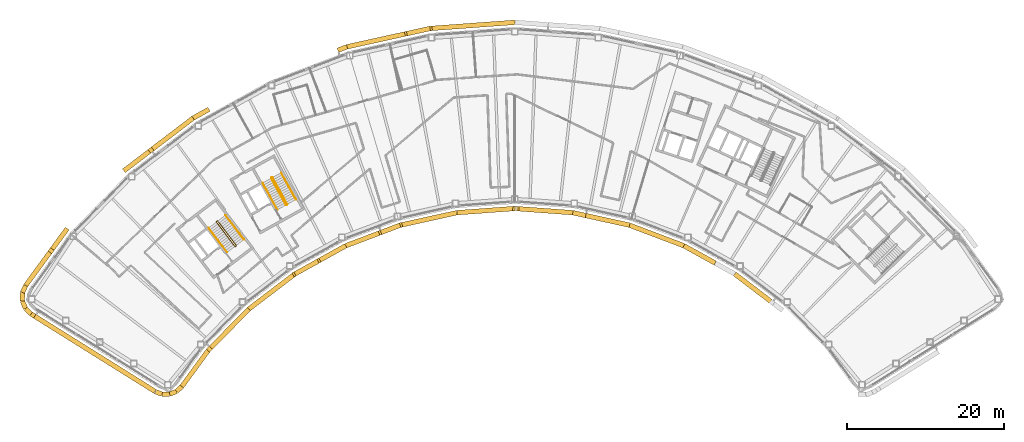
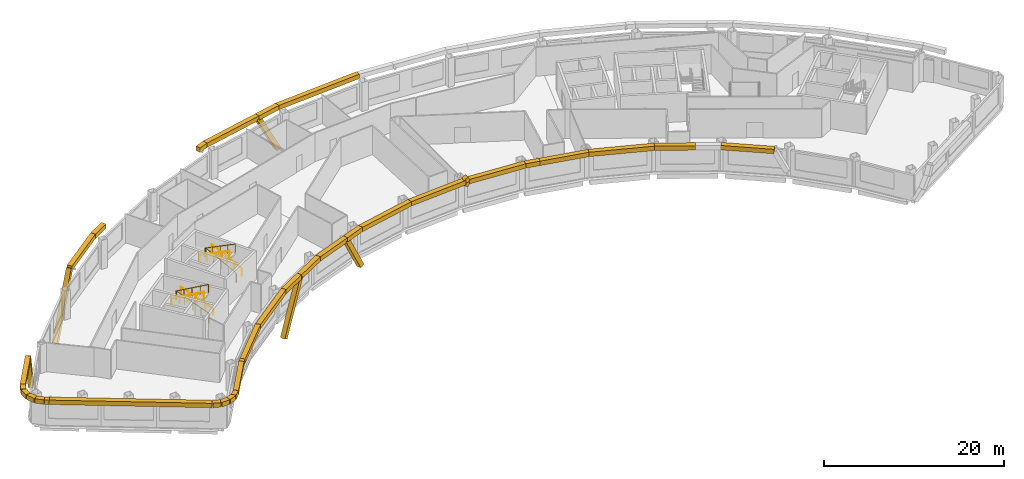
# One storey, part 13 of 15: 40 coverings, 6 railings.
"""IFC4 building model written with IfcOpenShell, lengths in metres."""

from ifc_helpers import new_model, si_unit, direction, frame, origin, origin_2d, place, context, subcontext, project, spatial, rectangle, circle, extrude, material, material_profile, profile_set, type_object, element, save


model = new_model("IFC4")

# Units and contexts
model_context = context("Model", 3, precision=1e-05, world=origin(), true_north=direction((0.0, 1.0)))
body_context = subcontext(model_context, "Body", "Model", "MODEL_VIEW")
ifc_project = project(units=[si_unit("LENGTHUNIT", "METRE"), si_unit("AREAUNIT", "SQUARE_METRE"), si_unit("VOLUMEUNIT", "CUBIC_METRE"), si_unit("PLANEANGLEUNIT", "RADIAN"), si_unit("MASSUNIT", "GRAM", prefix="KILO")], contexts=[model_context])

# Site, building, storey
site_placement = place(None, origin())
site = spatial("IfcSite", under=ifc_project, at=site_placement, CompositionType="ELEMENT")
building_placement = place(site_placement, origin())
building = spatial("IfcBuilding", under=site, at=building_placement, Name="Tuul Gate Civic Tower", CompositionType="ELEMENT")
storey_placement = place(building_placement, frame((0.0, 0.0, 332.300048828125)))
storey = spatial("IfcBuildingStorey", under=building, at=storey_placement, Name="Level 75", CompositionType="ELEMENT", Elevation=332.300048828125)

# Railings
ifc_material_1 = material(Name="Painted steel", Category="steel")
railing_type_1 = type_object("IfcRailingType", Name="Stair guard", PredefinedType="GUARDRAIL", material=ifc_material_1)
railing_1_placement = place(storey_placement, frame((-33.382080078125, -13.515380859375, 0.0)))
element("IfcRailing", 1, at=railing_1_placement, inside=storey, type_object=railing_type_1, Name="Level 75 ST-1 stair guard 1", PredefinedType="GUARDRAIL", context=body_context, shape_type="SweptSolid", body=[
    extrude(circle(Radius=0.02392578125, at=origin_2d()), frame((0.0, 0.0, 1.076171875), z_axis=(-0.795879841968, -0.605454603706, 0.0), x_axis=(0.605454603706, -0.795879841968, 0.0)), (0.0, 0.0, 1.0), 0.10009765625),
    extrude(circle(Radius=0.02392578125, at=origin_2d()), frame((-0.07958984375, -0.060546875, 1.076171875), z_axis=(0.408991890351, 0.599481263939, 0.688002796371), x_axis=(-0.826063974707, 0.563576356576, 0.0)), (0.0, 0.0, 1.0), 0.2177734375),
    extrude(circle(Radius=0.02392578125, at=origin_2d()), frame((0.009521484375, 0.070068359375, 1.22607421875), z_axis=(-0.541824460341, 0.711645023348, 0.447199748346), x_axis=(-0.795637165283, -0.60577347352, 0.0)), (0.0, 0.0, 1.0), 4.3603515625),
    extrude(circle(Radius=0.02392578125, at=origin_2d()), frame((-2.35302734375, 3.173095703125, 3.17578125), z_axis=(-0.990893089246, 0.134650977284, 0.0), x_axis=(-0.134650977284, -0.990893089246, 0.0)), (0.0, 0.0, 1.0), 0.07080078125),
    extrude(circle(Radius=0.02392578125, at=origin_2d()), frame((-2.423095703125, 3.1826171875, 3.17578125), z_axis=(-0.793802879778, -0.60817512943, 0.0), x_axis=(0.60817512943, -0.793802879778, 0.0)), (0.0, 0.0, 1.0), 0.099853515625),
    extrude(circle(Radius=0.02392578125, at=origin_2d()), frame((-2.50244140625, 3.121826171875, 3.17578125), z_axis=(-0.057370624079, -0.422188951554, 0.904690610473), x_axis=(0.990893089246, -0.134650977284, 0.0)), (0.0, 0.0, 1.0), 0.166015625),
    extrude(circle(Radius=0.02392578125, at=origin_2d()), frame((-2.511962890625, 3.0517578125, 3.326171875), z_axis=(0.541806494602, -0.71163897684, 0.447231136047), x_axis=(0.795644365679, 0.605764016233, 0.0)), (0.0, 0.0, 1.0), 4.360107421875),
    extrude(circle(Radius=0.02099609375, at=origin_2d()), origin(), (0.0, 0.0, 1.0), 1.052001953125),
    extrude(circle(Radius=0.02099609375, at=origin_2d()), frame((-0.07958984375, -0.060546875, 0.0)), (0.0, 0.0, 1.0), 1.052001953125),
    extrude(circle(Radius=0.02099609375, at=origin_2d()), frame((0.009521484375, 0.070068359375, 0.14990234375)), (0.0, 0.0, 1.0), 1.052001953125),
    extrude(circle(Radius=0.02099609375, at=origin_2d()), frame((-0.5810546875, 0.845703125, 0.637451171875)), (0.0, 0.0, 1.0), 1.052001953125),
    extrude(circle(Radius=0.02099609375, at=origin_2d()), frame((-1.171875, 1.62158203125, 1.125)), (0.0, 0.0, 1.0), 1.052001953125),
    extrude(circle(Radius=0.02099609375, at=origin_2d()), frame((-1.762451171875, 2.3974609375, 1.6123046875)), (0.0, 0.0, 1.0), 1.052001953125),
    extrude(circle(Radius=0.02099609375, at=origin_2d()), frame((-2.35302734375, 3.173095703125, 2.099853515625)), (0.0, 0.0, 1.0), 1.052001953125),
    extrude(circle(Radius=0.02099609375, at=origin_2d()), frame((-2.423095703125, 3.1826171875, 2.099853515625)), (0.0, 0.0, 1.0), 1.052001953125),
    extrude(circle(Radius=0.02099609375, at=origin_2d()), frame((-2.50244140625, 3.121826171875, 2.099853515625)), (0.0, 0.0, 1.0), 1.052001953125),
    extrude(circle(Radius=0.02099609375, at=origin_2d()), frame((-2.511962890625, 3.0517578125, 2.25)), (0.0, 0.0, 1.0), 1.052001953125),
    extrude(circle(Radius=0.02099609375, at=origin_2d()), frame((-1.92138671875, 2.276123046875, 2.737548828125)), (0.0, 0.0, 1.0), 1.052001953125),
    extrude(circle(Radius=0.02099609375, at=origin_2d()), frame((-1.330810546875, 1.50048828125, 3.22509765625)), (0.0, 0.0, 1.0), 1.052001953125),
    extrude(circle(Radius=0.02099609375, at=origin_2d()), frame((-0.740234375, 0.724609375, 3.71240234375)), (0.0, 0.0, 1.0), 1.052001953125),
    extrude(circle(Radius=0.02099609375, at=origin_2d()), frame((-0.149658203125, -0.051025390625, 4.199951171875)), (0.0, 0.0, 1.0), 1.052001953125),
])
railing_2_placement = place(storey_placement, frame((-26.857666015625, -8.247314453125, 0.0)))
element("IfcRailing", 2, at=railing_2_placement, inside=storey, type_object=railing_type_1, Name="Level 75 ST-2 stair guard 1", PredefinedType="GUARDRAIL", context=body_context, shape_type="SweptSolid", body=[
    extrude(circle(Radius=0.02392578125, at=origin_2d()), frame((0.0, 0.0, 1.076171875), z_axis=(-0.874616555828, -0.48481530532, 0.0), x_axis=(0.48481530532, -0.874616555828, 0.0)), (0.0, 0.0, 1.0), 0.10009765625),
    extrude(circle(Radius=0.02392578125, at=origin_2d()), frame((-0.087646484375, -0.048583984375, 1.076171875), z_axis=(0.49081399482, 0.534516610797, 0.688036056665), x_axis=(-0.736576986774, 0.676353711126, 0.0)), (0.0, 0.0, 1.0), 0.2177734375),
    extrude(circle(Radius=0.02392578125, at=origin_2d()), frame((0.019287109375, 0.06787109375, 1.22607421875), z_axis=(-0.43354991378, 0.782327185242, 0.447212083348), x_axis=(-0.874667644053, -0.484723129681, 0.0)), (0.0, 0.0, 1.0), 4.3603515625),
    extrude(circle(Radius=0.02392578125, at=origin_2d()), frame((-1.87109375, 3.47900390625, 3.17578125), z_axis=(-0.961263487578, 0.275631107549, 0.0), x_axis=(-0.275631107549, -0.961263487578, 0.0)), (0.0, 0.0, 1.0), 0.07080078125),
    extrude(circle(Radius=0.02392578125, at=origin_2d()), frame((-1.939208984375, 3.49853515625, 3.17578125), z_axis=(-0.874042088414, -0.485850211157, 0.0), x_axis=(0.485850211157, -0.874042088414, 0.0)), (0.0, 0.0, 1.0), 0.10009765625),
    extrude(circle(Radius=0.02392578125, at=origin_2d()), frame((-2.026611328125, 3.449951171875, 3.17578125), z_axis=(-0.117709570447, -0.409040757305, 0.904892322815), x_axis=(0.961000426733, -0.276546885391, 0.0)), (0.0, 0.0, 1.0), 0.166015625),
    extrude(circle(Radius=0.02392578125, at=origin_2d()), frame((-2.046142578125, 3.382080078125, 3.326171875), z_axis=(0.433595379963, -0.782308193291, 0.447201226726), x_axis=(0.874641102302, 0.484771020343, 0.0)), (0.0, 0.0, 1.0), 4.3603515625),
    extrude(circle(Radius=0.02099609375, at=origin_2d()), origin(), (0.0, 0.0, 1.0), 1.052001953125),
    extrude(circle(Radius=0.02099609375, at=origin_2d()), frame((-0.087646484375, -0.048583984375, 0.0)), (0.0, 0.0, 1.0), 1.052001953125),
    extrude(circle(Radius=0.02099609375, at=origin_2d()), frame((0.019287109375, 0.06787109375, 0.14990234375)), (0.0, 0.0, 1.0), 1.052001953125),
    extrude(circle(Radius=0.02099609375, at=origin_2d()), frame((-0.453369140625, 0.920654296875, 0.637451171875)), (0.0, 0.0, 1.0), 1.052001953125),
    extrude(circle(Radius=0.02099609375, at=origin_2d()), frame((-0.92578125, 1.7734375, 1.125)), (0.0, 0.0, 1.0), 1.052001953125),
    extrude(circle(Radius=0.02099609375, at=origin_2d()), frame((-1.3984375, 2.626220703125, 1.6123046875)), (0.0, 0.0, 1.0), 1.052001953125),
    extrude(circle(Radius=0.02099609375, at=origin_2d()), frame((-1.87109375, 3.47900390625, 2.099853515625)), (0.0, 0.0, 1.0), 1.052001953125),
    extrude(circle(Radius=0.02099609375, at=origin_2d()), frame((-1.939208984375, 3.49853515625, 2.099853515625)), (0.0, 0.0, 1.0), 1.052001953125),
    extrude(circle(Radius=0.02099609375, at=origin_2d()), frame((-2.026611328125, 3.449951171875, 2.099853515625)), (0.0, 0.0, 1.0), 1.052001953125),
    extrude(circle(Radius=0.02099609375, at=origin_2d()), frame((-2.046142578125, 3.382080078125, 2.25)), (0.0, 0.0, 1.0), 1.052001953125),
    extrude(circle(Radius=0.02099609375, at=origin_2d()), frame((-1.573486328125, 2.529296875, 2.737548828125)), (0.0, 0.0, 1.0), 1.052001953125),
    extrude(circle(Radius=0.02099609375, at=origin_2d()), frame((-1.100830078125, 1.676513671875, 3.22509765625)), (0.0, 0.0, 1.0), 1.052001953125),
    extrude(circle(Radius=0.02099609375, at=origin_2d()), frame((-0.628173828125, 0.82373046875, 3.71240234375)), (0.0, 0.0, 1.0), 1.052001953125),
    extrude(circle(Radius=0.02099609375, at=origin_2d()), frame((-0.155517578125, -0.029052734375, 4.199951171875)), (0.0, 0.0, 1.0), 1.052001953125),
])
ifc_material_2 = material(Name="Painted steel", Category="steel")
railing_type_2 = type_object("IfcRailingType", Name="Stair handrail", PredefinedType="HANDRAIL", material=ifc_material_2)
railing_3_placement = place(storey_placement, frame((-32.3779296875, -12.688232421875, 0.14990234375)))
element("IfcRailing", 3, at=railing_3_placement, inside=storey, type_object=railing_type_2, Name="Level 75 ST-1 stair handrail 1", PredefinedType="HANDRAIL", context=body_context, shape_type="SweptSolid", body=[
    extrude(circle(Radius=0.02392578125, at=origin_2d()), frame((0.0, 0.0, 0.8759765625), z_axis=(-0.541824460341, 0.711645023348, 0.447199748346), x_axis=(-0.795637165283, -0.60577347352, 0.0)), (0.0, 0.0, 1.0), 4.3603515625),
    extrude(circle(Radius=0.02099609375, at=origin_2d()), origin(), (0.0, 0.0, 1.0), 0.851806640625),
    extrude(circle(Radius=0.02099609375, at=origin_2d()), frame((-0.590576171875, 0.77587890625, 0.487548828125)), (0.0, 0.0, 1.0), 0.851806640625),
    extrude(circle(Radius=0.02099609375, at=origin_2d()), frame((-1.18115234375, 1.551513671875, 0.97509765625)), (0.0, 0.0, 1.0), 0.851806640625),
    extrude(circle(Radius=0.02099609375, at=origin_2d()), frame((-1.77197265625, 2.3271484375, 1.46240234375)), (0.0, 0.0, 1.0), 0.851806640625),
    extrude(circle(Radius=0.02099609375, at=origin_2d()), frame((-2.362548828125, 3.10302734375, 1.949951171875)), (0.0, 0.0, 1.0), 0.851806640625),
])
railing_4_placement = place(storey_placement, frame((-36.888671875, -11.220703125, 2.25)))
element("IfcRailing", 4, at=railing_4_placement, inside=storey, type_object=railing_type_2, Name="Level 75 ST-1 stair handrail 2", PredefinedType="HANDRAIL", context=body_context, shape_type="SweptSolid", body=[
    extrude(circle(Radius=0.02392578125, at=origin_2d()), frame((0.0, 0.0, 0.8759765625), z_axis=(0.541824460341, -0.711645023348, 0.447199748346), x_axis=(0.795637165283, 0.60577347352, 0.0)), (0.0, 0.0, 1.0), 4.3603515625),
    extrude(circle(Radius=0.02099609375, at=origin_2d()), origin(), (0.0, 0.0, 1.0), 0.851806640625),
    extrude(circle(Radius=0.02099609375, at=origin_2d()), frame((0.590576171875, -0.77587890625, 0.487548828125)), (0.0, 0.0, 1.0), 0.851806640625),
    extrude(circle(Radius=0.02099609375, at=origin_2d()), frame((1.18115234375, -1.551513671875, 0.97509765625)), (0.0, 0.0, 1.0), 0.851806640625),
    extrude(circle(Radius=0.02099609375, at=origin_2d()), frame((1.77197265625, -2.3271484375, 1.46240234375)), (0.0, 0.0, 1.0), 0.851806640625),
    extrude(circle(Radius=0.02099609375, at=origin_2d()), frame((2.362548828125, -3.10302734375, 1.949951171875)), (0.0, 0.0, 1.0), 0.851806640625),
])
railing_5_placement = place(storey_placement, frame((-25.744873046875, -7.573486328125, 0.14990234375)))
element("IfcRailing", 5, at=railing_5_placement, inside=storey, type_object=railing_type_2, Name="Level 75 ST-2 stair handrail 1", PredefinedType="HANDRAIL", context=body_context, shape_type="SweptSolid", body=[
    extrude(circle(Radius=0.02392578125, at=origin_2d()), frame((0.0, 0.0, 0.8759765625), z_axis=(-0.433595379963, 0.782308193291, 0.447201226726), x_axis=(-0.874641102302, -0.484771020343, 0.0)), (0.0, 0.0, 1.0), 4.3603515625),
    extrude(circle(Radius=0.02099609375, at=origin_2d()), origin(), (0.0, 0.0, 1.0), 0.851806640625),
    extrude(circle(Radius=0.02099609375, at=origin_2d()), frame((-0.47265625, 0.852783203125, 0.487548828125)), (0.0, 0.0, 1.0), 0.851806640625),
    extrude(circle(Radius=0.02099609375, at=origin_2d()), frame((-0.9453125, 1.70556640625, 0.97509765625)), (0.0, 0.0, 1.0), 0.851806640625),
    extrude(circle(Radius=0.02099609375, at=origin_2d()), frame((-1.41796875, 2.558349609375, 1.46240234375)), (0.0, 0.0, 1.0), 0.851806640625),
    extrude(circle(Radius=0.02099609375, at=origin_2d()), frame((-1.890625, 3.4111328125, 1.949951171875)), (0.0, 0.0, 1.0), 0.851806640625),
])
railing_6_placement = place(storey_placement, frame((-29.9970703125, -5.47119140625, 2.25)))
element("IfcRailing", 6, at=railing_6_placement, inside=storey, type_object=railing_type_2, Name="Level 75 ST-2 stair handrail 2", PredefinedType="HANDRAIL", context=body_context, shape_type="SweptSolid", body=[
    extrude(circle(Radius=0.02392578125, at=origin_2d()), frame((0.0, 0.0, 0.8759765625), z_axis=(0.433595379963, -0.782308193291, 0.447201226726), x_axis=(0.874641102302, 0.484771020343, 0.0)), (0.0, 0.0, 1.0), 4.3603515625),
    extrude(circle(Radius=0.02099609375, at=origin_2d()), origin(), (0.0, 0.0, 1.0), 0.851806640625),
    extrude(circle(Radius=0.02099609375, at=origin_2d()), frame((0.47265625, -0.852783203125, 0.487548828125)), (0.0, 0.0, 1.0), 0.851806640625),
    extrude(circle(Radius=0.02099609375, at=origin_2d()), frame((0.9453125, -1.70556640625, 0.97509765625)), (0.0, 0.0, 1.0), 0.851806640625),
    extrude(circle(Radius=0.02099609375, at=origin_2d()), frame((1.41796875, -2.558349609375, 1.46240234375)), (0.0, 0.0, 1.0), 0.851806640625),
    extrude(circle(Radius=0.02099609375, at=origin_2d()), frame((1.890625, -3.4111328125, 1.949951171875)), (0.0, 0.0, 1.0), 0.851806640625),
])

# Coverings
ifc_material_3 = material(Name="Terracotta baguette", Category="masonry")
ifc_material_profile = material_profile(ifc_material_3, rectangle(XDim=0.60009765625, YDim=0.60009765625, at=origin_2d()), Name="Terracotta baguette screen frame")
ifc_profile_set = profile_set([ifc_material_profile], Name="Terracotta baguette")
covering_type = type_object("IfcCoveringType", Name="Terracotta baguette screen frame", PredefinedType="CLADDING", material=ifc_profile_set)
covering_1_placement = place(storey_placement, frame((-8.63037109375, 14.2470703125, -1.755615234375), z_axis=(-0.464019264263, -0.102246729192, 0.879904386148), x_axis=(0.215187960952, -0.976572650376, 0.0)))
element("IfcCovering", 7, at=covering_1_placement, inside=storey, type_object=covering_type, Name="Baguette 82", PredefinedType="CLADDING", context=body_context, shape_type="SweptSolid", body=[
    extrude(rectangle(XDim=0.60009765625, YDim=0.60009765625, at=origin_2d()), origin(), (0.0, 0.0, 1.0), 6.37060546875),
])
covering_2_placement = place(storey_placement, frame((-11.58642578125, 13.595703125, 3.849853515625), z_axis=(-0.976562944913, -0.215232001854, 0.0), x_axis=(0.215232001854, -0.976562944913, 0.0)))
element("IfcCovering", 8, at=covering_2_placement, inside=storey, type_object=covering_type, Name="Baguette 89", PredefinedType="CLADDING", context=body_context, shape_type="SweptSolid", body=[
    extrude(rectangle(XDim=0.60009765625, YDim=0.60009765625, at=origin_2d()), origin(), (0.0, 0.0, 1.0), 7.824462890625),
])
covering_3_placement = place(storey_placement, frame((-19.2275390625, 11.91162109375, 3.849853515625), z_axis=(-0.935377216665, -0.353651611821, 0.0), x_axis=(0.353651611821, -0.935377216665, 0.0)))
element("IfcCovering", 9, at=covering_3_placement, inside=storey, type_object=covering_type, Name="Baguette 90", PredefinedType="CLADDING", context=body_context, shape_type="SweptSolid", body=[
    extrude(rectangle(XDim=0.60009765625, YDim=0.60009765625, at=origin_2d()), origin(), (0.0, 0.0, 1.0), 1.248046875),
])
covering_4_placement = place(storey_placement, frame((-36.84814453125, 3.932373046875, 3.849853515625), z_axis=(-0.874590710613, -0.484861927675, 0.0), x_axis=(0.484861927675, -0.874590710613, 0.0)))
element("IfcCovering", 10, at=covering_4_placement, inside=storey, type_object=covering_type, Name="Baguette 107", PredefinedType="CLADDING", context=body_context, shape_type="SweptSolid", body=[
    extrude(rectangle(XDim=0.60009765625, YDim=0.60009765625, at=origin_2d()), origin(), (0.0, 0.0, 1.0), 2.3095703125),
])
covering_5_placement = place(storey_placement, frame((-38.8681640625, 2.8125, 3.849853515625), z_axis=(-0.795616483898, -0.605800635977, 0.0), x_axis=(0.605800635977, -0.795616483898, 0.0)))
element("IfcCovering", 11, at=covering_5_placement, inside=storey, type_object=covering_type, Name="Baguette 108", PredefinedType="CLADDING", context=body_context, shape_type="SweptSolid", body=[
    extrude(rectangle(XDim=0.60009765625, YDim=0.60009765625, at=origin_2d()), origin(), (0.0, 0.0, 1.0), 6.762939453125),
])
covering_6_placement = place(storey_placement, frame((-44.248779296875, -1.284423828125, 3.849853515625), z_axis=(-0.378060731421, -0.287858459942, -0.879890669571), x_axis=(0.605793108402, -0.79562221551, 0.0)))
element("IfcCovering", 12, at=covering_6_placement, inside=storey, type_object=covering_type, Name="Baguette 111", PredefinedType="CLADDING", context=body_context, shape_type="SweptSolid", body=[
    extrude(rectangle(XDim=0.60009765625, YDim=0.60009765625, at=origin_2d()), origin(), (0.0, 0.0, 1.0), 8.604248046875),
])
covering_7_placement = place(storey_placement, frame((-55.09765625, -11.509765625, -2.0859375), z_axis=(-0.281341633683, -0.385267780007, 0.878871789765), x_axis=(0.807590994458, -0.589742982723, 0.0)))
element("IfcCovering", 13, at=covering_7_placement, inside=storey, type_object=covering_type, Name="Baguette 124", PredefinedType="CLADDING", context=body_context, shape_type="SweptSolid", body=[
    extrude(rectangle(XDim=0.60009765625, YDim=0.60009765625, at=origin_2d()), origin(), (0.0, 0.0, 1.0), 6.75390625),
])
covering_8_placement = place(storey_placement, frame((-56.997802734375, -14.11181640625, 3.849853515625), z_axis=(-0.589768947731, -0.807572032881, 0.0), x_axis=(0.807572032881, -0.589768947731, 0.0)))
element("IfcCovering", 14, at=covering_8_placement, inside=storey, type_object=covering_type, Name="Baguette 135", PredefinedType="CLADDING", context=body_context, shape_type="SweptSolid", body=[
    extrude(rectangle(XDim=0.60009765625, YDim=0.60009765625, at=origin_2d()), origin(), (0.0, 0.0, 1.0), 5.5126953125),
])
covering_9_placement = place(storey_placement, frame((-60.2490234375, -18.563720703125, 3.849853515625), z_axis=(-0.413598168861, -0.910459529422, 0.0), x_axis=(0.910459529422, -0.413598168861, 0.0)))
element("IfcCovering", 15, at=covering_9_placement, inside=storey, type_object=covering_type, Name="Baguette 136", PredefinedType="CLADDING", context=body_context, shape_type="SweptSolid", body=[
    extrude(rectangle(XDim=0.60009765625, YDim=0.60009765625, at=origin_2d()), origin(), (0.0, 0.0, 1.0), 0.988037109375),
])
covering_10_placement = place(storey_placement, frame((-60.65771484375, -19.46337890625, 3.849853515625), z_axis=(-0.014401798397, -0.999896288723, 0.0), x_axis=(0.999896288723, -0.014401798397, 0.0)))
element("IfcCovering", 16, at=covering_10_placement, inside=storey, type_object=covering_type, Name="Baguette 137", PredefinedType="CLADDING", context=body_context, shape_type="SweptSolid", body=[
    extrude(rectangle(XDim=0.60009765625, YDim=0.60009765625, at=origin_2d()), origin(), (0.0, 0.0, 1.0), 1.06787109375),
])
covering_11_placement = place(storey_placement, frame((-60.673095703125, -20.53125, 3.849853515625), z_axis=(0.38567152588, -0.92263615479, 0.0), x_axis=(0.92263615479, 0.38567152588, 0.0)))
element("IfcCovering", 17, at=covering_11_placement, inside=storey, type_object=covering_type, Name="Baguette 138", PredefinedType="CLADDING", context=body_context, shape_type="SweptSolid", body=[
    extrude(rectangle(XDim=0.60009765625, YDim=0.60009765625, at=origin_2d()), origin(), (0.0, 0.0, 1.0), 1.066650390625),
])
covering_12_placement = place(storey_placement, frame((-60.26171875, -21.515380859375, 3.849853515625), z_axis=(0.722013911671, -0.691878538006, 0.0), x_axis=(0.691878538006, 0.722013911671, 0.0)))
element("IfcCovering", 18, at=covering_12_placement, inside=storey, type_object=covering_type, Name="Baguette 139", PredefinedType="CLADDING", context=body_context, shape_type="SweptSolid", body=[
    extrude(rectangle(XDim=0.60009765625, YDim=0.60009765625, at=origin_2d()), origin(), (0.0, 0.0, 1.0), 0.98828125),
])
covering_13_placement = place(storey_placement, frame((-59.548095703125, -22.19921875, 3.849853515625), z_axis=(0.848381011335, -0.529386115804, 0.0), x_axis=(0.529386115804, 0.848381011335, 0.0)))
element("IfcCovering", 19, at=covering_13_placement, inside=storey, type_object=covering_type, Name="Baguette 140", PredefinedType="CLADDING", context=body_context, shape_type="SweptSolid", body=[
    extrude(rectangle(XDim=0.60009765625, YDim=0.60009765625, at=origin_2d()), origin(), (0.0, 0.0, 1.0), 0.537353515625),
])
covering_14_placement = place(storey_placement, frame((-43.692626953125, -32.106201171875, 3.849853515625), z_axis=(0.931801188997, -0.362969067807, 0.0), x_axis=(0.362969067807, 0.931801188997, 0.0)))
element("IfcCovering", 20, at=covering_14_placement, inside=storey, type_object=covering_type, Name="Baguette 165", PredefinedType="CLADDING", context=body_context, shape_type="SweptSolid", body=[
    extrude(rectangle(XDim=0.60009765625, YDim=0.60009765625, at=origin_2d()), origin(), (0.0, 0.0, 1.0), 0.9013671875),
])
covering_15_placement = place(storey_placement, frame((-42.852783203125, -32.433349609375, 3.849853515625), z_axis=(0.999996195982, 0.002758264332, 0.0), x_axis=(-0.002758264332, 0.999996195982, 0.0)))
element("IfcCovering", 21, at=covering_15_placement, inside=storey, type_object=covering_type, Name="Baguette 166", PredefinedType="CLADDING", context=body_context, shape_type="SweptSolid", body=[
    extrude(rectangle(XDim=0.60009765625, YDim=0.60009765625, at=origin_2d()), origin(), (0.0, 0.0, 1.0), 0.9736328125),
])
covering_16_placement = place(storey_placement, frame((-41.879150390625, -32.4306640625, 3.849853515625), z_axis=(0.929097482407, 0.369834920181, 0.0), x_axis=(-0.369834920181, 0.929097482407, 0.0)))
element("IfcCovering", 22, at=covering_16_placement, inside=storey, type_object=covering_type, Name="Baguette 167", PredefinedType="CLADDING", context=body_context, shape_type="SweptSolid", body=[
    extrude(rectangle(XDim=0.60009765625, YDim=0.60009765625, at=origin_2d()), origin(), (0.0, 0.0, 1.0), 0.974365234375),
])
covering_17_placement = place(storey_placement, frame((-40.973876953125, -32.0703125, 3.849853515625), z_axis=(0.730018523193, 0.68342735956, 0.0), x_axis=(-0.68342735956, 0.730018523193, 0.0)))
element("IfcCovering", 23, at=covering_17_placement, inside=storey, type_object=covering_type, Name="Baguette 168", PredefinedType="CLADDING", context=body_context, shape_type="SweptSolid", body=[
    extrude(rectangle(XDim=0.60009765625, YDim=0.60009765625, at=origin_2d()), origin(), (0.0, 0.0, 1.0), 0.9013671875),
])
covering_18_placement = place(storey_placement, frame((-40.31591796875, -31.454345703125, 3.849853515625), z_axis=(0.589729447422, 0.807600878432, 0.0), x_axis=(-0.807600878432, 0.589729447422, 0.0)))
element("IfcCovering", 24, at=covering_18_placement, inside=storey, type_object=covering_type, Name="Baguette 169", PredefinedType="CLADDING", context=body_context, shape_type="SweptSolid", body=[
    extrude(rectangle(XDim=0.60009765625, YDim=0.60009765625, at=origin_2d()), origin(), (0.0, 0.0, 1.0), 5.671142578125),
])
covering_19_placement = place(storey_placement, frame((-36.971435546875, -26.874267578125, 3.849853515625), z_axis=(0.699889510054, 0.714251127907, 0.0), x_axis=(-0.714251127907, 0.699889510054, 0.0)))
element("IfcCovering", 25, at=covering_19_placement, inside=storey, type_object=covering_type, Name="Baguette 170", PredefinedType="CLADDING", context=body_context, shape_type="SweptSolid", body=[
    extrude(rectangle(XDim=0.60009765625, YDim=0.60009765625, at=origin_2d()), origin(), (0.0, 0.0, 1.0), 0.510009765625),
])
covering_20_placement = place(storey_placement, frame((-25.876953125, -17.08349609375, -2.56201171875), z_axis=(0.407708361449, 0.225969403338, 0.884709964203), x_axis=(-0.484765259291, 0.874644295348, 0.0)))
element("IfcCovering", 26, at=covering_20_placement, inside=storey, type_object=covering_type, Name="Baguette 189", PredefinedType="CLADDING", context=body_context, shape_type="SweptSolid", body=[
    extrude(rectangle(XDim=0.60009765625, YDim=0.60009765625, at=origin_2d()), origin(), (0.0, 0.0, 1.0), 7.247314453125),
])
covering_21_placement = place(storey_placement, frame((-22.922119140625, -15.44580078125, 3.849853515625), z_axis=(0.874618697284, 0.484811442069, 0.0), x_axis=(-0.484811442069, 0.874618697284, 0.0)))
element("IfcCovering", 27, at=covering_21_placement, inside=storey, type_object=covering_type, Name="Baguette 196", PredefinedType="CLADDING", context=body_context, shape_type="SweptSolid", body=[
    extrude(rectangle(XDim=0.60009765625, YDim=0.60009765625, at=origin_2d()), origin(), (0.0, 0.0, 1.0), 4.039794921875),
])
covering_22_placement = place(storey_placement, frame((-19.388916015625, -13.4873046875, 3.849853515625), z_axis=(0.935372913928, 0.353662991972, 0.0), x_axis=(-0.353662991972, 0.935372913928, 0.0)))
element("IfcCovering", 28, at=covering_22_placement, inside=storey, type_object=covering_type, Name="Baguette 197", PredefinedType="CLADDING", context=body_context, shape_type="SweptSolid", body=[
    extrude(rectangle(XDim=0.60009765625, YDim=0.60009765625, at=origin_2d()), origin(), (0.0, 0.0, 1.0), 4.812255859375),
])
covering_23_placement = place(storey_placement, frame((-14.8876953125, -11.785400390625, 3.849853515625), z_axis=(0.436053033654, 0.164890333772, -0.88468578019), x_axis=(-0.353699371155, 0.935359158209, 0.0)))
element("IfcCovering", 29, at=covering_23_placement, inside=storey, type_object=covering_type, Name="Baguette 200", PredefinedType="CLADDING", context=body_context, shape_type="SweptSolid", body=[
    extrude(rectangle(XDim=0.60009765625, YDim=0.60009765625, at=origin_2d()), origin(), (0.0, 0.0, 1.0), 5.58935546875),
])
covering_24_placement = place(storey_placement, frame((2.19189453125, -8.73095703125, 3.3515625), z_axis=(0.465069281055, -0.033807459387, 0.884628520628), x_axis=(0.072502073076, 0.997368261677, 0.0)))
element("IfcCovering", 30, at=covering_24_placement, inside=storey, type_object=covering_type, Name="Baguette 215", PredefinedType="CLADDING", context=body_context, shape_type="SweptSolid", body=[
    extrude(rectangle(XDim=0.60009765625, YDim=0.60009765625, at=origin_2d()), origin(), (0.0, 0.0, 1.0), 0.563232421875),
])
covering_25_placement = place(storey_placement, frame((2.19189453125, -8.73095703125, 4.348388671875), z_axis=(0.464891021363, -0.033794501087, -0.884722707944), x_axis=(0.072502073076, 0.997368261677, 0.0)))
element("IfcCovering", 31, at=covering_25_placement, inside=storey, type_object=covering_type, Name="Baguette 217", PredefinedType="CLADDING", context=body_context, shape_type="SweptSolid", body=[
    extrude(rectangle(XDim=0.60009765625, YDim=0.60009765625, at=origin_2d()), origin(), (0.0, 0.0, 1.0), 0.5634765625),
])
covering_26_placement = place(storey_placement, frame((2.453857421875, -8.75, 3.849853515625), z_axis=(0.997385437558, -0.072265406293, 0.0), x_axis=(0.072265406293, 0.997385437558, 0.0)))
element("IfcCovering", 32, at=covering_26_placement, inside=storey, type_object=covering_type, Name="Baguette 222", PredefinedType="CLADDING", context=body_context, shape_type="SweptSolid", body=[
    extrude(rectangle(XDim=0.60009765625, YDim=0.60009765625, at=origin_2d()), origin(), (0.0, 0.0, 1.0), 7.155517578125),
])
covering_27_placement = place(storey_placement, frame((9.590576171875, -9.26708984375, 3.849853515625), z_axis=(0.976551365634, -0.215284533302, 0.0), x_axis=(0.215284533302, 0.976551365634, 0.0)))
element("IfcCovering", 33, at=covering_27_placement, inside=storey, type_object=covering_type, Name="Baguette 223", PredefinedType="CLADDING", context=body_context, shape_type="SweptSolid", body=[
    extrude(rectangle(XDim=0.60009765625, YDim=0.60009765625, at=origin_2d()), origin(), (0.0, 0.0, 1.0), 1.696533203125),
])
covering_28_placement = place(storey_placement, frame((30.260986328125, -17.08349609375, 3.849853515625), z_axis=(0.795563429455, -0.605870307668, 0.0), x_axis=(0.605870307668, 0.795563429455, 0.0)))
element("IfcCovering", 34, at=covering_28_placement, inside=storey, type_object=covering_type, Name="Baguette 243", PredefinedType="CLADDING", context=body_context, shape_type="SweptSolid", body=[
    extrude(rectangle(XDim=0.60009765625, YDim=0.60009765625, at=origin_2d()), origin(), (0.0, 0.0, 1.0), 5.998779296875),
])
covering_29_placement = place(storey_placement, frame((2.19189453125, 15.031005859375, 3.849853515625), z_axis=(-0.99738669964, -0.072247985304, 0.0), x_axis=(0.072247985304, -0.99738669964, 0.0)))
element("IfcCovering", 35, at=covering_29_placement, inside=storey, type_object=covering_type, Name="Baguette 303", PredefinedType="CLADDING", context=body_context, shape_type="SweptSolid", body=[
    extrude(rectangle(XDim=0.60009765625, YDim=0.60009765625, at=origin_2d()), origin(), (0.0, 0.0, 1.0), 10.8505859375),
])
covering_30_placement = place(storey_placement, frame((-8.63037109375, 14.2470703125, 3.849853515625), z_axis=(-0.976572650376, -0.215187960952, 0.0), x_axis=(0.215187960952, -0.976572650376, 0.0)))
element("IfcCovering", 36, at=covering_30_placement, inside=storey, type_object=covering_type, Name="Baguette 304", PredefinedType="CLADDING", context=body_context, shape_type="SweptSolid", body=[
    extrude(rectangle(XDim=0.60009765625, YDim=0.60009765625, at=origin_2d()), origin(), (0.0, 0.0, 1.0), 3.02685546875),
])
covering_31_placement = place(storey_placement, frame((-59.09228515625, -22.483642578125, 3.849853515625), z_axis=(0.848051326016, -0.529914095342, 0.0), x_axis=(0.529914095342, 0.848051326016, 0.0)))
element("IfcCovering", 37, at=covering_31_placement, inside=storey, type_object=covering_type, Name="Baguette 331", PredefinedType="CLADDING", context=body_context, shape_type="SweptSolid", body=[
    extrude(rectangle(XDim=0.60009765625, YDim=0.60009765625, at=origin_2d()), origin(), (0.0, 0.0, 1.0), 18.106201171875),
])
covering_32_placement = place(storey_placement, frame((-36.614501953125, -26.510009765625, 3.849853515625), z_axis=(0.700127594566, 0.71401775281, 0.0), x_axis=(-0.71401775281, 0.700127594566, 0.0)))
element("IfcCovering", 38, at=covering_32_placement, inside=storey, type_object=covering_type, Name="Baguette 339", PredefinedType="CLADDING", context=body_context, shape_type="SweptSolid", body=[
    extrude(rectangle(XDim=0.60009765625, YDim=0.60009765625, at=origin_2d()), origin(), (0.0, 0.0, 1.0), 6.907470703125),
])
covering_33_placement = place(storey_placement, frame((-31.7783203125, -21.577880859375, 3.849853515625), z_axis=(0.795554853025, 0.605881569144, 0.0), x_axis=(-0.605881569144, 0.795554853025, 0.0)))
element("IfcCovering", 39, at=covering_33_placement, inside=storey, type_object=covering_type, Name="Baguette 340", PredefinedType="CLADDING", context=body_context, shape_type="SweptSolid", body=[
    extrude(rectangle(XDim=0.60009765625, YDim=0.60009765625, at=origin_2d()), origin(), (0.0, 0.0, 1.0), 7.41796875),
])
covering_34_placement = place(storey_placement, frame((-25.876953125, -17.08349609375, 3.849853515625), z_axis=(0.874644295348, 0.484765259291, 0.0), x_axis=(-0.484765259291, 0.874644295348, 0.0)))
element("IfcCovering", 40, at=covering_34_placement, inside=storey, type_object=covering_type, Name="Baguette 341", PredefinedType="CLADDING", context=body_context, shape_type="SweptSolid", body=[
    extrude(rectangle(XDim=0.60009765625, YDim=0.60009765625, at=origin_2d()), origin(), (0.0, 0.0, 1.0), 3.37841796875),
])
covering_35_placement = place(storey_placement, frame((-14.8876953125, -11.785400390625, 3.849853515625), z_axis=(0.935359158209, 0.353699371155, 0.0), x_axis=(-0.353699371155, 0.935359158209, 0.0)))
element("IfcCovering", 41, at=covering_35_placement, inside=storey, type_object=covering_type, Name="Baguette 350", PredefinedType="CLADDING", context=body_context, shape_type="SweptSolid", body=[
    extrude(rectangle(XDim=0.60009765625, YDim=0.60009765625, at=origin_2d()), origin(), (0.0, 0.0, 1.0), 2.605712890625),
])
for number, where, z_axis, x_axis, name in (
    (42, (-12.450439453125, -10.86376953125, 3.849853515625), (0.976558886135, 0.215250416748, 0.0), (-0.215250416748, 0.976558886135, 0.0), "Baguette 351"),
    (43, (-5.20654296875, -9.26708984375, 3.849853515625), (0.997384658444, 0.072276158591, 0.0), (-0.072276158591, 0.997384658444, 0.0), "Baguette 352"),
):
    element("IfcCovering", number, at=place(storey_placement, frame(where, z_axis=z_axis, x_axis=x_axis)), inside=storey, type_object=covering_type, Name=name, PredefinedType="CLADDING", context=body_context, shape_type="SweptSolid", body=[
        extrude(rectangle(XDim=0.60009765625, YDim=0.60009765625, at=origin_2d()), origin(), (0.0, 0.0, 1.0), 7.417724609375),
    ])
covering_36_placement = place(storey_placement, frame((11.247314453125, -9.63232421875, 3.849853515625), z_axis=(0.976561115954, -0.215240300147, 0.0), x_axis=(0.215240300147, 0.976561115954, 0.0)))
element("IfcCovering", 44, at=covering_36_placement, inside=storey, type_object=covering_type, Name="Baguette 360", PredefinedType="CLADDING", context=body_context, shape_type="SweptSolid", body=[
    extrude(rectangle(XDim=0.60009765625, YDim=0.60009765625, at=origin_2d()), origin(), (0.0, 0.0, 1.0), 5.72119140625),
])
covering_37_placement = place(storey_placement, frame((16.83447265625, -10.86376953125, 3.849853515625), z_axis=(0.935368082117, -0.353675770951, 0.0), x_axis=(0.353675770951, 0.935368082117, 0.0)))
element("IfcCovering", 45, at=covering_37_placement, inside=storey, type_object=covering_type, Name="Baguette 361", PredefinedType="CLADDING", context=body_context, shape_type="SweptSolid", body=[
    extrude(rectangle(XDim=0.60009765625, YDim=0.60009765625, at=origin_2d()), origin(), (0.0, 0.0, 1.0), 7.41796875),
])
covering_38_placement = place(storey_placement, frame((23.77294921875, -13.4873046875, 3.849853515625), z_axis=(0.874610996731, -0.484825333906, 0.0), x_axis=(0.484825333906, 0.874610996731, 0.0)))
element("IfcCovering", 46, at=covering_38_placement, inside=storey, type_object=covering_type, Name="Baguette 362", PredefinedType="CLADDING", context=body_context, shape_type="SweptSolid", body=[
    extrude(rectangle(XDim=0.60009765625, YDim=0.60009765625, at=origin_2d()), origin(), (0.0, 0.0, 1.0), 4.564697265625),
])

save(model, "model.ifc")
